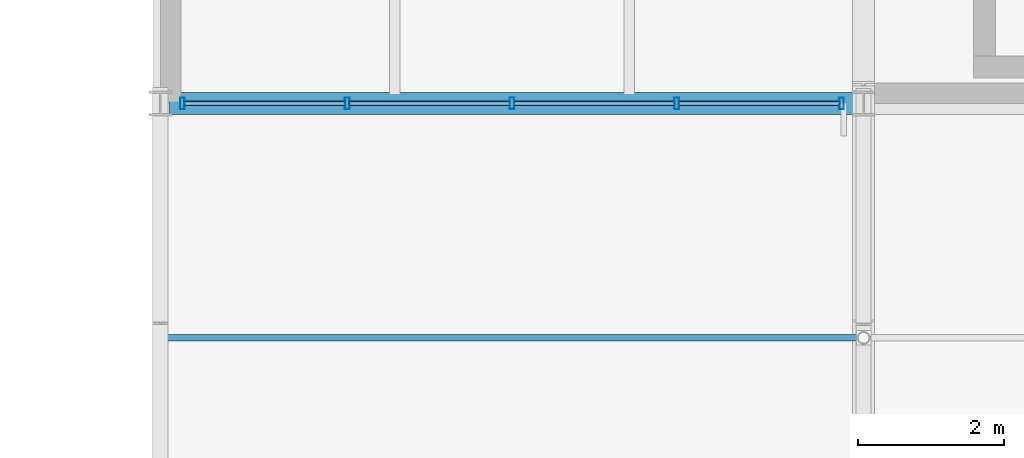
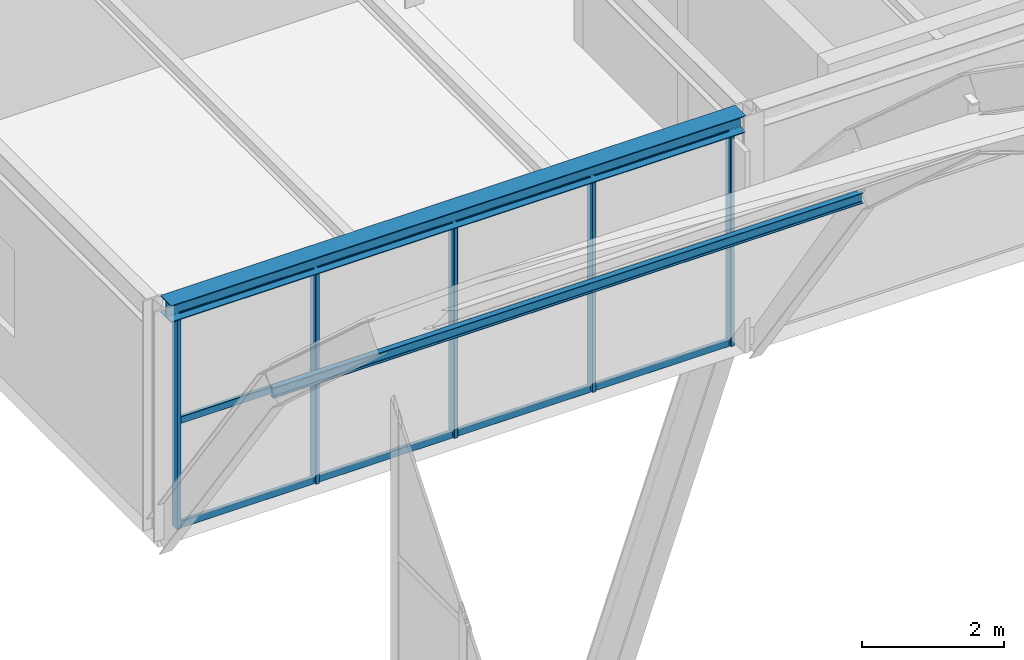
# One storey, part 67 of 126: 18 members, 1 beam, 1 element without a shape of its own.
"""IFC4 building model written with IfcOpenShell, lengths in metres."""

from ifc_helpers import new_model, si_unit, direction, frame, origin, origin_2d, place, context, subcontext, project, spatial, hollow_rectangle, i_section, extrude, material, material_profile, profile_set, type_object, element, aggregate, save


model = new_model("IFC4")

# Units and contexts
model_context = context("Model", 3, precision=1e-05, world=origin(), true_north=direction((0.0, 1.0)))
body_context = subcontext(model_context, "Body", "Model", "MODEL_VIEW")
ifc_project = project(units=[si_unit("LENGTHUNIT", "METRE"), si_unit("AREAUNIT", "SQUARE_METRE"), si_unit("VOLUMEUNIT", "CUBIC_METRE"), si_unit("PLANEANGLEUNIT", "RADIAN"), si_unit("MASSUNIT", "GRAM", prefix="KILO")], contexts=[model_context])

# Site, building, storey
site_placement = place(None, origin())
site = spatial("IfcSite", under=ifc_project, at=site_placement, CompositionType="ELEMENT")
building_placement = place(site_placement, origin())
building = spatial("IfcBuilding", under=site, at=building_placement, Name="Coralgate Yard Interchange", CompositionType="ELEMENT")
storey_placement = place(building_placement, frame((0.0, 0.0, 10.5)))
storey = spatial("IfcBuildingStorey", under=building, at=storey_placement, Name="L02", CompositionType="ELEMENT", Elevation=10.5)

# Beam
ifc_material_1 = material(Name="Structural steel S355J2", Category="steel")
ifc_material_profile_1 = material_profile(ifc_material_1, i_section(OverallWidth=0.300048828125, OverallDepth=0.2900390625, WebThickness=0.008544921875, FlangeThickness=0.013916015625, FilletRadius=0.027099609375, at=origin_2d()), Name="HEA 300")
ifc_profile_set_1 = profile_set([ifc_material_profile_1], Name="Structural steel S355J2")
beam_type = type_object("IfcBeamType", Name="BM-SP-2", PredefinedType="SPANDREL", material=ifc_profile_set_1)
beam_placement = place(storey_placement, frame((38.527099609375, 76.800048828125, 3.804931640625), z_axis=(1.0, 0.0, 0.0), x_axis=(0.0, 1.0, 0.0)))
element("IfcBeam", 1, at=beam_placement, inside=storey, type_object=beam_type, Name="L02 primary grid beam Y8 X4-5", PredefinedType="SPANDREL", context=body_context, shape_type="SweptSolid", body=[
    extrude(i_section(OverallWidth=0.300048828125, OverallDepth=0.2900390625, WebThickness=0.008544921875, FlangeThickness=0.013916015625, FilletRadius=0.027099609375, at=origin_2d()), origin(), (0.0, 0.0, 1.0), 9.345703125),
])

# Curtain wall, members
ifc_material_2 = material(Name="Anodised coastal aluminium and solar-control low-E glass", Category="aluminium")
curtain_wall_type = type_object("IfcCurtainWallType", Name="CW-CW-L02-A", PredefinedType="NOTDEFINED", material=ifc_material_2)
curtain_wall_placement = place(storey_placement, origin())
curtain_wall = element("IfcCurtainWall", 2, at=curtain_wall_placement, inside=storey, type_object=curtain_wall_type, Name="L02 unitised curtain wall CW-L02-S-04-08", PredefinedType="NOTDEFINED")
ifc_material_3 = material(Name="Anodised coastal aluminium 6063-T6", Category="aluminium")
ifc_material_profile_2 = material_profile(ifc_material_3, hollow_rectangle(XDim=0.06494140625, YDim=0.159912109375, WallThickness=0.00390625, InnerFilletRadius=0.00390625, OuterFilletRadius=0.008056640625, at=origin_2d()), Name="ALU 65x160x4")
ifc_profile_set_2 = profile_set([ifc_material_profile_2], Name="Anodised coastal aluminium 6063-T6")
member_type_1 = type_object("IfcMemberType", Name="MB-MUL-160", PredefinedType="MULLION", material=ifc_profile_set_2)
member_1_placement = place(storey_placement, frame((47.699951171875, 76.800048828125, 0.0), z_axis=(0.0, 0.0, 1.0), x_axis=(1.0, 0.0, 0.0)))
member_1 = element("IfcMember", 3, at=member_1_placement, type_object=member_type_1, Name="CW-L02-S-04-08 vertical mullion 1", PredefinedType="MULLION", context=body_context, shape_type="SweptSolid", body=[
    extrude(hollow_rectangle(XDim=0.06494140625, YDim=0.159912109375, WallThickness=0.00390625, InnerFilletRadius=0.00390625, OuterFilletRadius=0.008056640625, at=origin_2d()), origin(), (0.0, 0.0, 1.0), 3.659912109375),
])
member_2_placement = place(storey_placement, frame((45.449951171875, 76.800048828125, 0.0), z_axis=(0.0, 0.0, 1.0), x_axis=(1.0, 0.0, 0.0)))
member_2 = element("IfcMember", 4, at=member_2_placement, type_object=member_type_1, Name="CW-L02-S-04-08 vertical mullion 2", PredefinedType="MULLION", context=body_context, shape_type="SweptSolid", body=[
    extrude(hollow_rectangle(XDim=0.06494140625, YDim=0.159912109375, WallThickness=0.00390625, InnerFilletRadius=0.00390625, OuterFilletRadius=0.008056640625, at=origin_2d()), origin(), (0.0, 0.0, 1.0), 3.659912109375),
])
member_3_placement = place(storey_placement, frame((43.199951171875, 76.800048828125, 0.0), z_axis=(0.0, 0.0, 1.0), x_axis=(1.0, 0.0, 0.0)))
member_3 = element("IfcMember", 5, at=member_3_placement, type_object=member_type_1, Name="CW-L02-S-04-08 vertical mullion 3", PredefinedType="MULLION", context=body_context, shape_type="SweptSolid", body=[
    extrude(hollow_rectangle(XDim=0.06494140625, YDim=0.159912109375, WallThickness=0.00390625, InnerFilletRadius=0.00390625, OuterFilletRadius=0.008056640625, at=origin_2d()), origin(), (0.0, 0.0, 1.0), 3.659912109375),
])
member_4_placement = place(storey_placement, frame((40.949951171875, 76.800048828125, 0.0), z_axis=(0.0, 0.0, 1.0), x_axis=(1.0, 0.0, 0.0)))
member_4 = element("IfcMember", 6, at=member_4_placement, type_object=member_type_1, Name="CW-L02-S-04-08 vertical mullion 4", PredefinedType="MULLION", context=body_context, shape_type="SweptSolid", body=[
    extrude(hollow_rectangle(XDim=0.06494140625, YDim=0.159912109375, WallThickness=0.00390625, InnerFilletRadius=0.00390625, OuterFilletRadius=0.008056640625, at=origin_2d()), origin(), (0.0, 0.0, 1.0), 3.659912109375),
])
member_5_placement = place(storey_placement, frame((38.699951171875, 76.800048828125, 0.0), z_axis=(0.0, 0.0, 1.0), x_axis=(1.0, 0.0, 0.0)))
member_5 = element("IfcMember", 7, at=member_5_placement, type_object=member_type_1, Name="CW-L02-S-04-08 vertical mullion 5", PredefinedType="MULLION", context=body_context, shape_type="SweptSolid", body=[
    extrude(hollow_rectangle(XDim=0.06494140625, YDim=0.159912109375, WallThickness=0.00390625, InnerFilletRadius=0.00390625, OuterFilletRadius=0.008056640625, at=origin_2d()), origin(), (0.0, 0.0, 1.0), 3.659912109375),
])

# Member
ifc_material_4 = material(Name="Off-white architectural structural steel S355J2", Category="steel")
ifc_material_profile_3 = material_profile(ifc_material_4, i_section(OverallWidth=0.091064453125, OverallDepth=0.179931640625, WebThickness=0.00537109375, FlangeThickness=0.008056640625, FilletRadius=0.009033203125, at=origin_2d()), Name="IPE 180")
ifc_profile_set_3 = profile_set([ifc_material_profile_3], Name="Off-white architectural structural steel S355J2")
member_type_2 = type_object("IfcMemberType", Name="MB-PR-2", PredefinedType="PURLIN", material=ifc_profile_set_3)
member_6_placement = place(storey_placement, frame((38.402099609375, 73.60009765625, 4.3662109375), z_axis=(1.0, 0.0, 0.0), x_axis=(0.0, 1.0, 0.0)))
element("IfcMember", 8, at=member_6_placement, inside=storey, type_object=member_type_2, Name="Barrel-vault gridshell purlin 1-12", PredefinedType="PURLIN", context=body_context, shape_type="SweptSolid", body=[
    extrude(i_section(OverallWidth=0.091064453125, OverallDepth=0.179931640625, WebThickness=0.00537109375, FlangeThickness=0.008056640625, FilletRadius=0.009033203125, at=origin_2d()), origin(), (0.0, 0.0, 1.0), 9.595947265625),
])

ifc_material_profile_4 = material_profile(ifc_material_3, hollow_rectangle(XDim=0.06005859375, YDim=0.1201171875, WallThickness=0.00341796875, InnerFilletRadius=0.00341796875, OuterFilletRadius=0.007080078125, at=origin_2d()), Name="ALU 60x120x3.5")
ifc_profile_set_4 = profile_set([ifc_material_profile_4], Name="Anodised coastal aluminium 6063-T6")
member_type_3 = type_object("IfcMemberType", Name="MB-TRN-120", PredefinedType="USERDEFINED", material=ifc_profile_set_4)
member_7_placement = place(storey_placement, frame((47.669921875, 76.800048828125, 0.034912109375), z_axis=(-1.0, 0.0, 0.0), x_axis=(0.0, -1.0, 0.0)))
member_7 = element("IfcMember", 9, at=member_7_placement, type_object=member_type_3, Name="CW-L02-S-04-08 horizontal transom 1-1", ObjectType="TRANSOM", PredefinedType="USERDEFINED", context=body_context, shape_type="SweptSolid", body=[
    extrude(hollow_rectangle(XDim=0.06005859375, YDim=0.1201171875, WallThickness=0.00341796875, InnerFilletRadius=0.00341796875, OuterFilletRadius=0.007080078125, at=origin_2d()), origin(), (0.0, 0.0, 1.0), 2.18994140625),
])

member_8_placement = place(storey_placement, frame((47.669921875, 76.800048828125, 1.830078125), z_axis=(-1.0, 0.0, 0.0), x_axis=(0.0, -1.0, 0.0)))
member_8 = element("IfcMember", 10, at=member_8_placement, type_object=member_type_3, Name="CW-L02-S-04-08 horizontal transom 1-2", ObjectType="TRANSOM", PredefinedType="USERDEFINED", context=body_context, shape_type="SweptSolid", body=[
    extrude(hollow_rectangle(XDim=0.06005859375, YDim=0.1201171875, WallThickness=0.00341796875, InnerFilletRadius=0.00341796875, OuterFilletRadius=0.007080078125, at=origin_2d()), origin(), (0.0, 0.0, 1.0), 2.18994140625),
])

member_9_placement = place(storey_placement, frame((47.669921875, 76.800048828125, 3.625), z_axis=(-1.0, 0.0, 0.0), x_axis=(0.0, -1.0, 0.0)))
member_9 = element("IfcMember", 11, at=member_9_placement, type_object=member_type_3, Name="CW-L02-S-04-08 horizontal transom 1-3", ObjectType="TRANSOM", PredefinedType="USERDEFINED", context=body_context, shape_type="SweptSolid", body=[
    extrude(hollow_rectangle(XDim=0.06005859375, YDim=0.1201171875, WallThickness=0.00341796875, InnerFilletRadius=0.00341796875, OuterFilletRadius=0.007080078125, at=origin_2d()), origin(), (0.0, 0.0, 1.0), 2.18994140625),
])

member_10_placement = place(storey_placement, frame((45.419921875, 76.800048828125, 0.034912109375), z_axis=(-1.0, 0.0, 0.0), x_axis=(0.0, -1.0, 0.0)))
member_10 = element("IfcMember", 12, at=member_10_placement, type_object=member_type_3, Name="CW-L02-S-04-08 horizontal transom 2-1", ObjectType="TRANSOM", PredefinedType="USERDEFINED", context=body_context, shape_type="SweptSolid", body=[
    extrude(hollow_rectangle(XDim=0.06005859375, YDim=0.1201171875, WallThickness=0.00341796875, InnerFilletRadius=0.00341796875, OuterFilletRadius=0.007080078125, at=origin_2d()), origin(), (0.0, 0.0, 1.0), 2.18994140625),
])

member_11_placement = place(storey_placement, frame((45.419921875, 76.800048828125, 1.830078125), z_axis=(-1.0, 0.0, 0.0), x_axis=(0.0, -1.0, 0.0)))
member_11 = element("IfcMember", 13, at=member_11_placement, type_object=member_type_3, Name="CW-L02-S-04-08 horizontal transom 2-2", ObjectType="TRANSOM", PredefinedType="USERDEFINED", context=body_context, shape_type="SweptSolid", body=[
    extrude(hollow_rectangle(XDim=0.06005859375, YDim=0.1201171875, WallThickness=0.00341796875, InnerFilletRadius=0.00341796875, OuterFilletRadius=0.007080078125, at=origin_2d()), origin(), (0.0, 0.0, 1.0), 2.18994140625),
])

member_12_placement = place(storey_placement, frame((45.419921875, 76.800048828125, 3.625), z_axis=(-1.0, 0.0, 0.0), x_axis=(0.0, -1.0, 0.0)))
member_12 = element("IfcMember", 14, at=member_12_placement, type_object=member_type_3, Name="CW-L02-S-04-08 horizontal transom 2-3", ObjectType="TRANSOM", PredefinedType="USERDEFINED", context=body_context, shape_type="SweptSolid", body=[
    extrude(hollow_rectangle(XDim=0.06005859375, YDim=0.1201171875, WallThickness=0.00341796875, InnerFilletRadius=0.00341796875, OuterFilletRadius=0.007080078125, at=origin_2d()), origin(), (0.0, 0.0, 1.0), 2.18994140625),
])

member_13_placement = place(storey_placement, frame((43.169921875, 76.800048828125, 0.034912109375), z_axis=(-1.0, 0.0, 0.0), x_axis=(0.0, -1.0, 0.0)))
member_13 = element("IfcMember", 15, at=member_13_placement, type_object=member_type_3, Name="CW-L02-S-04-08 horizontal transom 3-1", ObjectType="TRANSOM", PredefinedType="USERDEFINED", context=body_context, shape_type="SweptSolid", body=[
    extrude(hollow_rectangle(XDim=0.06005859375, YDim=0.1201171875, WallThickness=0.00341796875, InnerFilletRadius=0.00341796875, OuterFilletRadius=0.007080078125, at=origin_2d()), origin(), (0.0, 0.0, 1.0), 2.18994140625),
])

member_14_placement = place(storey_placement, frame((43.169921875, 76.800048828125, 1.830078125), z_axis=(-1.0, 0.0, 0.0), x_axis=(0.0, -1.0, 0.0)))
member_14 = element("IfcMember", 16, at=member_14_placement, type_object=member_type_3, Name="CW-L02-S-04-08 horizontal transom 3-2", ObjectType="TRANSOM", PredefinedType="USERDEFINED", context=body_context, shape_type="SweptSolid", body=[
    extrude(hollow_rectangle(XDim=0.06005859375, YDim=0.1201171875, WallThickness=0.00341796875, InnerFilletRadius=0.00341796875, OuterFilletRadius=0.007080078125, at=origin_2d()), origin(), (0.0, 0.0, 1.0), 2.18994140625),
])

member_15_placement = place(storey_placement, frame((43.169921875, 76.800048828125, 3.625), z_axis=(-1.0, 0.0, 0.0), x_axis=(0.0, -1.0, 0.0)))
member_15 = element("IfcMember", 17, at=member_15_placement, type_object=member_type_3, Name="CW-L02-S-04-08 horizontal transom 3-3", ObjectType="TRANSOM", PredefinedType="USERDEFINED", context=body_context, shape_type="SweptSolid", body=[
    extrude(hollow_rectangle(XDim=0.06005859375, YDim=0.1201171875, WallThickness=0.00341796875, InnerFilletRadius=0.00341796875, OuterFilletRadius=0.007080078125, at=origin_2d()), origin(), (0.0, 0.0, 1.0), 2.18994140625),
])

member_16_placement = place(storey_placement, frame((40.919921875, 76.800048828125, 0.034912109375), z_axis=(-1.0, 0.0, 0.0), x_axis=(0.0, -1.0, 0.0)))
member_16 = element("IfcMember", 18, at=member_16_placement, type_object=member_type_3, Name="CW-L02-S-04-08 horizontal transom 4-1", ObjectType="TRANSOM", PredefinedType="USERDEFINED", context=body_context, shape_type="SweptSolid", body=[
    extrude(hollow_rectangle(XDim=0.06005859375, YDim=0.1201171875, WallThickness=0.00341796875, InnerFilletRadius=0.00341796875, OuterFilletRadius=0.007080078125, at=origin_2d()), origin(), (0.0, 0.0, 1.0), 2.18994140625),
])

member_17_placement = place(storey_placement, frame((40.919921875, 76.800048828125, 1.830078125), z_axis=(-1.0, 0.0, 0.0), x_axis=(0.0, -1.0, 0.0)))
member_17 = element("IfcMember", 19, at=member_17_placement, type_object=member_type_3, Name="CW-L02-S-04-08 horizontal transom 4-2", ObjectType="TRANSOM", PredefinedType="USERDEFINED", context=body_context, shape_type="SweptSolid", body=[
    extrude(hollow_rectangle(XDim=0.06005859375, YDim=0.1201171875, WallThickness=0.00341796875, InnerFilletRadius=0.00341796875, OuterFilletRadius=0.007080078125, at=origin_2d()), origin(), (0.0, 0.0, 1.0), 2.18994140625),
])

member_18_placement = place(storey_placement, frame((40.919921875, 76.800048828125, 3.625), z_axis=(-1.0, 0.0, 0.0), x_axis=(0.0, -1.0, 0.0)))
member_18 = element("IfcMember", 20, at=member_18_placement, type_object=member_type_3, Name="CW-L02-S-04-08 horizontal transom 4-3", ObjectType="TRANSOM", PredefinedType="USERDEFINED", context=body_context, shape_type="SweptSolid", body=[
    extrude(hollow_rectangle(XDim=0.06005859375, YDim=0.1201171875, WallThickness=0.00341796875, InnerFilletRadius=0.00341796875, OuterFilletRadius=0.007080078125, at=origin_2d()), origin(), (0.0, 0.0, 1.0), 2.18994140625),
])

aggregate(curtain_wall, [member_1, member_2, member_3, member_4, member_5, member_7, member_8, member_9, member_10, member_11, member_12, member_13, member_14, member_15, member_16, member_17, member_18])

save(model, "model.ifc")
